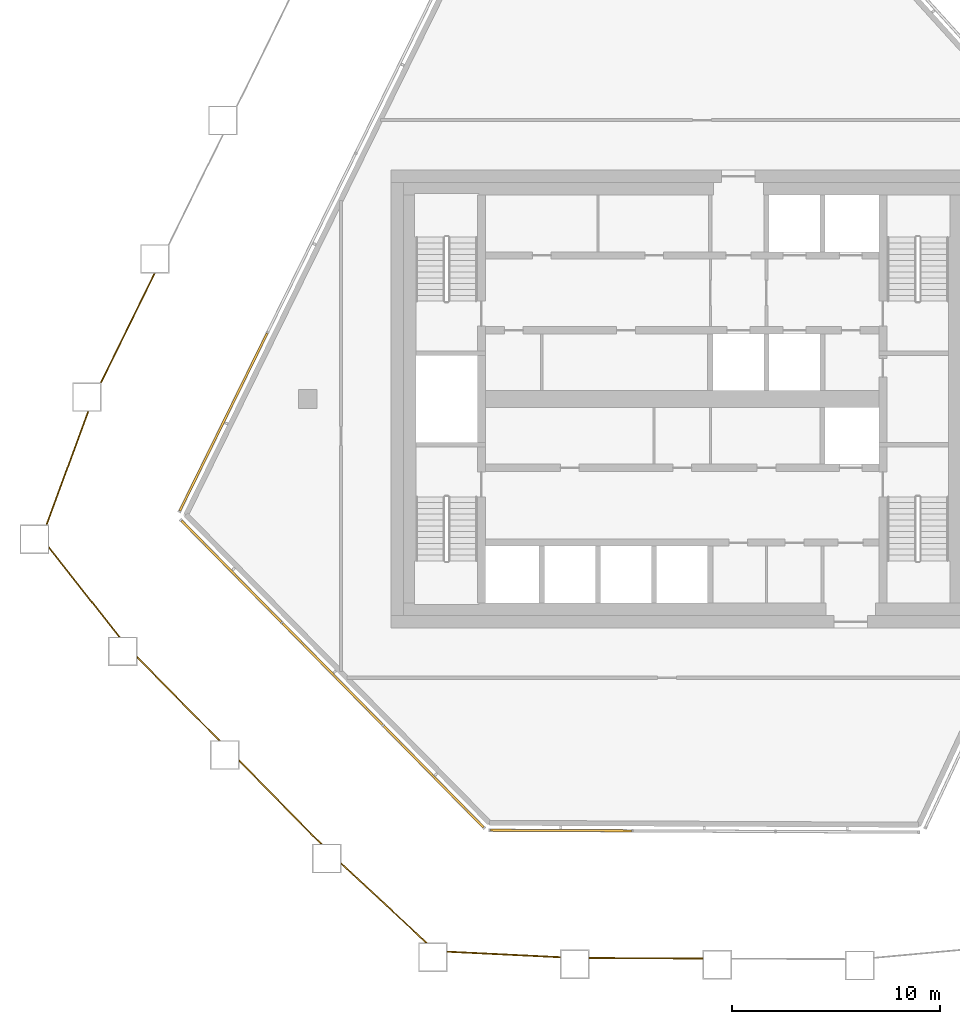
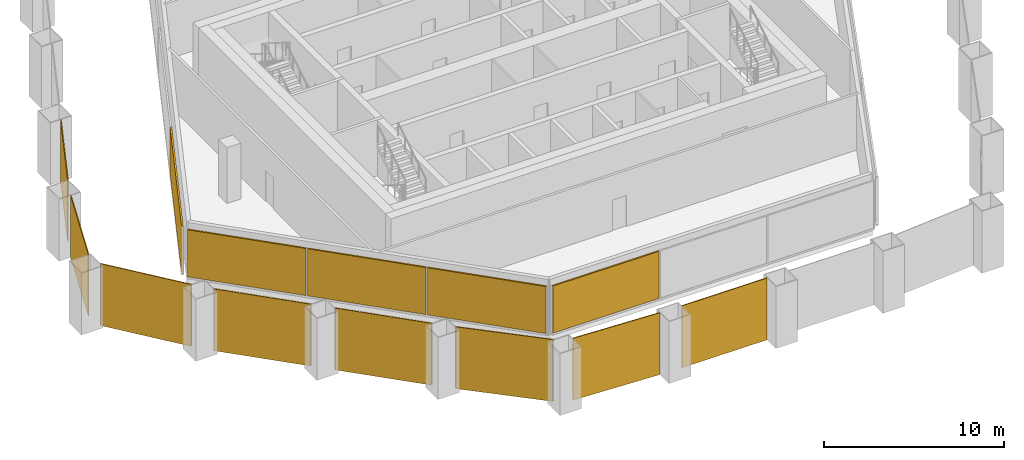
# One storey, part 12 of 18: 13 coverings, 3 elements without a shape of their own.
"""IFC4 building model written with IfcOpenShell, lengths in metres."""

from ifc_helpers import new_model, si_unit, direction, frame, origin, origin_2d, place, context, subcontext, project, spatial, polyline, rectangle, outline, extrude, material, layer, layer_set, type_object, element, aggregate, save


model = new_model("IFC4")

# Units and contexts
model_context = context("Model", 3, precision=1e-05, world=origin(), true_north=direction((0.0, 1.0)))
body_context = subcontext(model_context, "Body", "Model", "MODEL_VIEW")
ifc_project = project(units=[si_unit("LENGTHUNIT", "METRE"), si_unit("AREAUNIT", "SQUARE_METRE"), si_unit("VOLUMEUNIT", "CUBIC_METRE"), si_unit("PLANEANGLEUNIT", "RADIAN"), si_unit("MASSUNIT", "GRAM", prefix="KILO")], contexts=[model_context])

# Site, building, storey
site_placement = place(None, origin())
site = spatial("IfcSite", under=ifc_project, at=site_placement, CompositionType="ELEMENT")
building_placement = place(site_placement, origin())
building = spatial("IfcBuilding", under=site, at=building_placement, Name="Dongbaek Canopy Tower", CompositionType="ELEMENT")
storey_placement = place(building_placement, frame((0.0, 0.0, 359.0)))
storey = spatial("IfcBuildingStorey", under=building, at=storey_placement, Name="L77", CompositionType="ELEMENT", Elevation=359.0)

# Coverings
ifc_material_1 = material(Name="Perforated pale metal")
ifc_layer_1 = layer(ifc_material_1, 0.06005859375)
ifc_layer_set_1 = layer_set([ifc_layer_1], Name="Crown plant screen")
covering_type_1 = type_object("IfcCoveringType", Name="Crown plant screen", PredefinedType="CLADDING", material=ifc_layer_set_1)
covering_1_placement = place(storey_placement, origin())
element("IfcCovering", 1, at=covering_1_placement, inside=storey, type_object=covering_type_1, Name="Crown plant screen 1 L77", PredefinedType="CLADDING", context=body_context, shape_type="SweptSolid", body=[
    extrude(outline(polyline([(-30.428955078125, -7.197998046875), (-30.428955078125, -7.10107421875), (-27.02001953125, -11.43408203125), (-27.09619140625, -11.43408203125), (-30.428955078125, -7.197998046875)])), origin(), (0.0, 0.0, 1.0), 4.199951171875),
])
covering_2_placement = place(storey_placement, origin())
element("IfcCovering", 2, at=covering_2_placement, inside=storey, type_object=covering_type_1, Name="Crown plant screen 2 L77", PredefinedType="CLADDING", context=body_context, shape_type="SweptSolid", body=[
    extrude(outline(polyline([(-26.18896484375, -12.4599609375), (-26.18896484375, -12.37451171875), (-22.21240234375, -16.412109375), (-22.29638671875, -16.412109375), (-26.18896484375, -12.4599609375)])), origin(), (0.0, 0.0, 1.0), 4.199951171875),
])
covering_3_placement = place(storey_placement, origin())
element("IfcCovering", 3, at=covering_3_placement, inside=storey, type_object=covering_type_1, Name="Crown plant screen 3 L77", PredefinedType="CLADDING", context=body_context, shape_type="SweptSolid", body=[
    extrude(outline(polyline([(-21.285888671875, -17.43798828125), (-21.285888671875, -17.352294921875), (-17.310302734375, -21.388916015625), (-17.39453125, -21.388916015625), (-21.285888671875, -17.43798828125)])), origin(), (0.0, 0.0, 1.0), 4.199951171875),
])
covering_4_placement = place(storey_placement, origin())
element("IfcCovering", 4, at=covering_4_placement, inside=storey, type_object=covering_type_1, Name="Crown plant screen 4 L77", PredefinedType="CLADDING", context=body_context, shape_type="SweptSolid", body=[
    extrude(outline(polyline([(-16.384033203125, -22.371337890625), (-16.384033203125, -22.289306640625), (-12.253173828125, -26.131103515625), (-12.34130859375, -26.131103515625), (-16.384033203125, -22.371337890625)])), origin(), (0.0, 0.0, 1.0), 4.199951171875),
])
covering_5_placement = place(storey_placement, origin())
element("IfcCovering", 5, at=covering_5_placement, inside=storey, type_object=covering_type_1, Name="Crown plant screen 5 L77", PredefinedType="CLADDING", context=body_context, shape_type="SweptSolid", body=[
    extrude(outline(polyline([(-11.284912109375, -26.59521484375), (-11.284912109375, -26.53515625), (-5.865966796875, -26.802001953125), (-5.865966796875, -26.8623046875), (-11.284912109375, -26.59521484375)])), origin(), (0.0, 0.0, 1.0), 4.199951171875),
])
covering_6_placement = place(storey_placement, origin())
element("IfcCovering", 6, at=covering_6_placement, inside=storey, type_object=covering_type_1, Name="Crown plant screen 6 L77", PredefinedType="CLADDING", context=body_context, shape_type="SweptSolid", body=[
    extrude(outline(polyline([(-4.466064453125, -26.900146484375), (-4.466064453125, -26.840087890625), (0.98291015625, -26.864013671875), (0.98291015625, -26.923828125), (-4.466064453125, -26.900146484375)])), origin(), (0.0, 0.0, 1.0), 4.199951171875),
])
covering_7_placement = place(storey_placement, origin())
element("IfcCovering", 7, at=covering_7_placement, inside=storey, type_object=covering_type_1, Name="Crown plant screen 25 L77", PredefinedType="CLADDING", context=body_context, shape_type="SweptSolid", body=[
    extrude(outline(polyline([(-25.390380859375, 6.034912109375), (-25.323486328125, 6.034912109375), (-27.9169921875, 0.76171875), (-27.9169921875, 0.785888671875), (-27.971923828125, 0.785888671875), (-25.390380859375, 6.034912109375)])), origin(), (0.0, 0.0, 1.0), 4.199951171875),
])
covering_8_placement = place(storey_placement, origin())
element("IfcCovering", 8, at=covering_8_placement, inside=storey, type_object=covering_type_1, Name="Crown plant screen 26 L77", PredefinedType="CLADDING", context=body_context, shape_type="SweptSolid", body=[
    extrude(outline(polyline([(-28.586669921875, -0.614013671875), (-28.522705078125, -0.614013671875), (-30.52001953125, -6.044921875), (-30.583984375, -6.044921875), (-28.586669921875, -0.614013671875)])), origin(), (0.0, 0.0, 1.0), 4.199951171875),
])

# Curtain wall, covering
ifc_material_2 = material(Name="Aluminium 6063-T6 pale anodised", Category="aluminium")
ifc_layer_2 = layer(ifc_material_2, 0.14990234375)
ifc_layer_set_2 = layer_set([ifc_layer_2], Name="CW-7 louvre curtain wall")
curtain_wall_type = type_object("IfcCurtainWallType", Name="CW-7 louvre curtain wall", PredefinedType="NOTDEFINED", material=ifc_layer_set_2)
curtain_wall_1_placement = place(storey_placement, origin())
curtain_wall_1 = element("IfcCurtainWall", 9, at=curtain_wall_1_placement, inside=storey, type_object=curtain_wall_type, Name="CW-7 louvre wall L77 F0", PredefinedType="NOTDEFINED")
ifc_material_3 = material(Name="Aluminium 6063-T6 pale metal louvre blades", Category="aluminium")
ifc_layer_3 = layer(ifc_material_3, 0.10009765625)
ifc_layer_set_3 = layer_set([ifc_layer_3], Name="Louvre LV bank 100 x 3200")
covering_type_2 = type_object("IfcCoveringType", Name="Louvre LV bank 100 x 3200", PredefinedType="CLADDING", material=ifc_layer_set_3)
covering_9_placement = place(storey_placement, frame((-5.828369140625, -20.741943359375, 0.2998046875), z_axis=(0.0, 0.0, 1.0), x_axis=(0.999990026762, -0.004466136555, 0.0)))
covering_9 = element("IfcCovering", 10, at=covering_9_placement, type_object=covering_type_2, Name="Louvre L77 F0.1.1", PredefinedType="CLADDING", context=body_context, shape_type="SweptSolid", body=[
    extrude(rectangle(XDim=6.787841796875, YDim=0.10009765625, at=origin_2d()), origin(), (0.0, 0.0, 1.0), 3.199951171875),
])
aggregate(curtain_wall_1, [covering_9])

curtain_wall_2_placement = place(storey_placement, origin())
curtain_wall_2 = element("IfcCurtainWall", 11, at=curtain_wall_2_placement, inside=storey, type_object=curtain_wall_type, Name="CW-7 louvre wall L77 F4", PredefinedType="NOTDEFINED")
covering_10_placement = place(storey_placement, frame((-22.04638671875, -1.105712890625, 0.2998046875), z_axis=(0.0, 0.0, 1.0), x_axis=(-0.441341619439, -0.897339163834, 0.0)))
covering_10 = element("IfcCovering", 12, at=covering_10_placement, type_object=covering_type_2, Name="Louvre L77 F4.1.3", PredefinedType="CLADDING", context=body_context, shape_type="SweptSolid", body=[
    extrude(rectangle(XDim=9.51171875, YDim=0.10009765625, at=origin_2d()), origin(), (0.0, 0.0, 1.0), 3.199951171875),
])
aggregate(curtain_wall_2, [covering_10])

# Curtain wall, coverings
curtain_wall_3_placement = place(storey_placement, origin())
curtain_wall_3 = element("IfcCurtainWall", 13, at=curtain_wall_3_placement, inside=storey, type_object=curtain_wall_type, Name="CW-7 louvre wall L77 F5", PredefinedType="NOTDEFINED")
covering_11_placement = place(storey_placement, frame((-21.669677734375, -8.28173828125, 0.2998046875), z_axis=(0.0, 0.0, 1.0), x_axis=(0.70171826998, -0.712454538603, 0.0)))
covering_11 = element("IfcCovering", 14, at=covering_11_placement, type_object=covering_type_2, Name="Louvre L77 F5.1.1", PredefinedType="CLADDING", context=body_context, shape_type="SweptSolid", body=[
    extrude(rectangle(XDim=6.83837890625, YDim=0.10009765625, at=origin_2d()), origin(), (0.0, 0.0, 1.0), 3.199951171875),
])
covering_12_placement = place(storey_placement, frame((-16.807861328125, -13.218017578125, 0.2998046875), z_axis=(0.0, 0.0, 1.0), x_axis=(0.70171826998, -0.712454538603, 0.0)))
covering_12 = element("IfcCovering", 15, at=covering_12_placement, type_object=covering_type_2, Name="Louvre L77 F5.1.2", PredefinedType="CLADDING", context=body_context, shape_type="SweptSolid", body=[
    extrude(rectangle(XDim=6.83837890625, YDim=0.10009765625, at=origin_2d()), origin(), (0.0, 0.0, 1.0), 3.199951171875),
])
covering_13_placement = place(storey_placement, frame((-11.946044921875, -18.154052734375, 0.2998046875), z_axis=(0.0, 0.0, 1.0), x_axis=(0.70171826998, -0.712454538603, 0.0)))
covering_13 = element("IfcCovering", 16, at=covering_13_placement, type_object=covering_type_2, Name="Louvre L77 F5.1.3", PredefinedType="CLADDING", context=body_context, shape_type="SweptSolid", body=[
    extrude(rectangle(XDim=6.83837890625, YDim=0.10009765625, at=origin_2d()), origin(), (0.0, 0.0, 1.0), 3.199951171875),
])
aggregate(curtain_wall_3, [covering_11, covering_12, covering_13])

save(model, "model.ifc")
